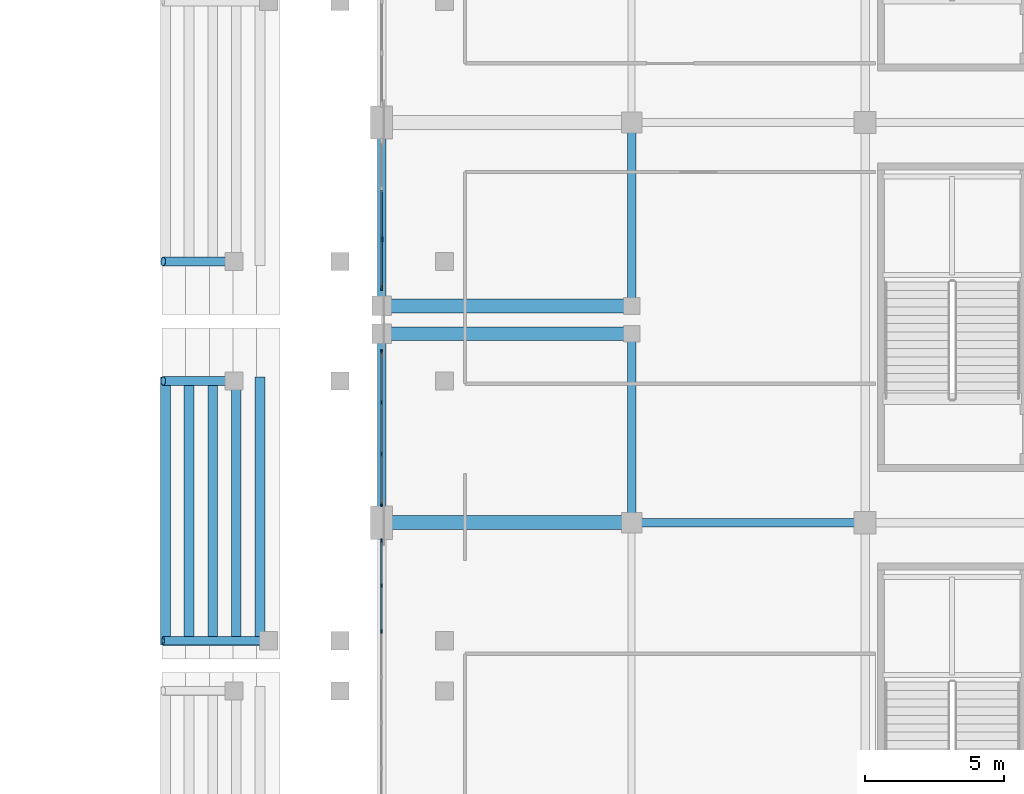
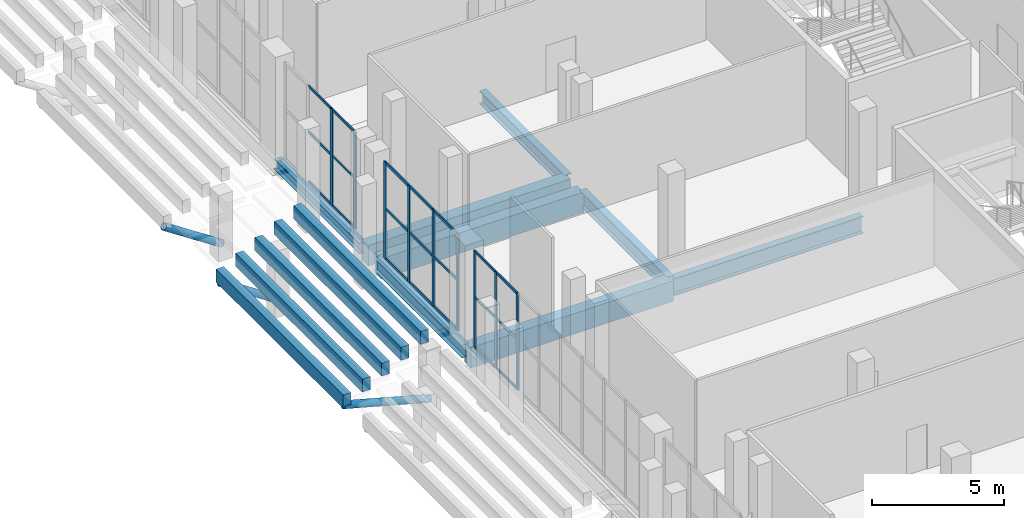
# One storey, part 52 of 142: 33 members, 13 beams, 3 elements without a shape of their own.
"""IFC4 building model written with IfcOpenShell, lengths in metres."""

from ifc_helpers import new_model, si_unit, direction, frame, origin, origin_2d, place, context, subcontext, project, spatial, rectangle, hollow_circle, i_section, extrude, material, material_profile, profile_set, type_object, element, aggregate, save


model = new_model("IFC4")

# Units and contexts
model_context = context("Model", 3, precision=1e-05, world=origin(), true_north=direction((0.0, 1.0)))
body_context = subcontext(model_context, "Body", "Model", "MODEL_VIEW")
ifc_project = project(units=[si_unit("LENGTHUNIT", "METRE"), si_unit("AREAUNIT", "SQUARE_METRE"), si_unit("VOLUMEUNIT", "CUBIC_METRE"), si_unit("PLANEANGLEUNIT", "RADIAN"), si_unit("MASSUNIT", "GRAM", prefix="KILO")], contexts=[model_context])

# Site, building, storey
site_placement = place(None, origin())
site = spatial("IfcSite", under=ifc_project, at=site_placement, CompositionType="ELEMENT")
building_placement = place(site_placement, origin())
building = spatial("IfcBuilding", under=site, at=building_placement, Name="Koshinbarg Plaza Stadium", CompositionType="ELEMENT")
storey_placement = place(building_placement, frame((0.0, 0.0, 10.199951171875)))
storey = spatial("IfcBuildingStorey", under=building, at=storey_placement, Name="L02", CompositionType="ELEMENT", Elevation=10.199951171875)

# Beams
ifc_material_1 = material(Name="Concrete C40/50", Category="concrete")
ifc_material_profile_1 = material_profile(ifc_material_1, rectangle(XDim=0.35009765625, YDim=0.60009765625, at=origin_2d()), Name="RC 350x600")
ifc_profile_set_1 = profile_set([ifc_material_profile_1], Name="Concrete C40/50")
beam_type_1 = type_object("IfcBeamType", Name="BM-RCG-01", PredefinedType="SPANDREL", material=ifc_profile_set_1)
for number, where, z_axis, x_axis, name in (
    (1, (172.6201171875, 64.300048828125, 2.52001953125), (0.0, 1.0, 0.0), (-1.0, 0.0, 0.0), "Upper tier seat bearer UT-E04-R01"),
    (2, (173.469970703125, 64.300048828125, 2.9599609375), (0.0, 1.0, 0.0), (-1.0, 0.0, 0.0), "Upper tier seat bearer UT-E04-R02"),
    (3, (174.320068359375, 64.300048828125, 3.400146484375), (0.0, 1.0, 0.0), (-1.0, 0.0, 0.0), "Upper tier seat bearer UT-E04-R03"),
    (4, (175.169921875, 64.300048828125, 3.840087890625), (0.0, 1.0, 0.0), (-1.0, 0.0, 0.0), "Upper tier seat bearer UT-E04-R04"),
    (5, (176.02001953125, 64.300048828125, 4.280029296875), (0.0, 1.0, 0.0), (-1.0, 0.0, 0.0), "Upper tier seat bearer UT-E04-R05"),
):
    element("IfcBeam", number, at=place(storey_placement, frame(where, z_axis=z_axis, x_axis=x_axis)), inside=storey, type_object=beam_type_1, Name=name, PredefinedType="SPANDREL", context=body_context, shape_type="SweptSolid", body=[
        extrude(rectangle(XDim=0.35009765625, YDim=0.60009765625, at=origin_2d()), origin(), (0.0, 0.0, 1.0), 9.64990234375),
    ])
ifc_material_profile_2 = material_profile(ifc_material_1, rectangle(XDim=0.5, YDim=0.949951171875, at=origin_2d()), Name="RC 500x950")
ifc_profile_set_2 = profile_set([ifc_material_profile_2], Name="Concrete C40/50")
beam_type_2 = type_object("IfcBeamType", Name="BM-RCG-06", PredefinedType="USERDEFINED", material=ifc_profile_set_2)
for number, where, z_axis, x_axis, name in (
    (6, (180.4599609375, 68.699951171875, -0.77490234375), (1.0, 0.0, 0.0), (0.0, 1.0, 0.0), "L02 X girder J/17-18"),
    (7, (180.4599609375, 75.5, -0.77490234375), (1.0, 0.0, 0.0), (0.0, 1.0, 0.0), "L02 X girder K/17-18"),
    (8, (180.4599609375, 76.5, -0.77490234375), (1.0, 0.0, 0.0), (0.0, 1.0, 0.0), "L02 X girder L/17-18"),
):
    element("IfcBeam", number, at=place(storey_placement, frame(where, z_axis=z_axis, x_axis=x_axis)), inside=storey, type_object=beam_type_2, Name=name, ObjectType="GIRDER", PredefinedType="USERDEFINED", context=body_context, shape_type="SweptSolid", body=[
        extrude(rectangle(XDim=0.5, YDim=0.949951171875, at=origin_2d()), origin(), (0.0, 0.0, 1.0), 8.880126953125),
    ])
ifc_material_2 = material(Name="Steel S355", Category="steel")
ifc_material_profile_3 = material_profile(ifc_material_2, i_section(OverallWidth=0.300048828125, OverallDepth=0.5, WebThickness=0.014404296875, FlangeThickness=0.028076171875, at=origin_2d()), Name="HEB 500")
ifc_profile_set_3 = profile_set([ifc_material_profile_3], Name="Steel S355")
beam_type_3 = type_object("IfcBeamType", Name="BM-SGIR-01", PredefinedType="USERDEFINED", material=ifc_profile_set_3)
beam_1_placement = place(storey_placement, frame((180.39990234375, 76.56005859375, -0.550048828125), z_axis=(0.0, 1.0, 0.0), x_axis=(-1.0, 0.0, 0.0)))
element("IfcBeam", 9, at=beam_1_placement, inside=storey, type_object=beam_type_3, Name="L02 Y girder 17/L-M", ObjectType="GIRDER", PredefinedType="USERDEFINED", context=body_context, shape_type="SweptSolid", body=[
    extrude(i_section(OverallWidth=0.300048828125, OverallDepth=0.5, WebThickness=0.014404296875, FlangeThickness=0.028076171875, at=origin_2d()), origin(), (0.0, 0.0, 1.0), 6.47998046875),
])
ifc_material_profile_4 = material_profile(ifc_material_2, i_section(OverallWidth=0.300048828125, OverallDepth=0.60009765625, WebThickness=0.015380859375, FlangeThickness=0.030029296875, at=origin_2d()), Name="HEB 600")
ifc_profile_set_4 = profile_set([ifc_material_profile_4], Name="Steel S355")
beam_type_4 = type_object("IfcBeamType", Name="BM-SGIR-02", PredefinedType="USERDEFINED", material=ifc_profile_set_4)
beam_2_placement = place(storey_placement, frame((180.39990234375, 68.760009765625, -0.599853515625), z_axis=(0.0, 1.0, 0.0), x_axis=(-1.0, 0.0, 0.0)))
element("IfcBeam", 10, at=beam_2_placement, inside=storey, type_object=beam_type_4, Name="L02 Y girder 17/J-K", ObjectType="GIRDER", PredefinedType="USERDEFINED", context=body_context, shape_type="SweptSolid", body=[
    extrude(i_section(OverallWidth=0.300048828125, OverallDepth=0.60009765625, WebThickness=0.015380859375, FlangeThickness=0.030029296875, at=origin_2d()), origin(), (0.0, 0.0, 1.0), 6.679931640625),
])
beam_3_placement = place(storey_placement, frame((189.39990234375, 76.56005859375, -0.599853515625), z_axis=(0.0, 1.0, 0.0), x_axis=(-1.0, 0.0, 0.0)))
element("IfcBeam", 11, at=beam_3_placement, inside=storey, type_object=beam_type_4, Name="L02 Y girder 18/L-M", ObjectType="GIRDER", PredefinedType="USERDEFINED", context=body_context, shape_type="SweptSolid", body=[
    extrude(i_section(OverallWidth=0.300048828125, OverallDepth=0.60009765625, WebThickness=0.015380859375, FlangeThickness=0.030029296875, at=origin_2d()), origin(), (0.0, 0.0, 1.0), 6.47998046875),
])
ifc_material_profile_5 = material_profile(ifc_material_2, i_section(OverallWidth=0.300048828125, OverallDepth=0.699951171875, WebThickness=0.01708984375, FlangeThickness=0.031982421875, at=origin_2d()), Name="HEB 700")
ifc_profile_set_5 = profile_set([ifc_material_profile_5], Name="Steel S355")
beam_type_5 = type_object("IfcBeamType", Name="BM-SGIR-03", PredefinedType="USERDEFINED", material=ifc_profile_set_5)
beam_4_placement = place(storey_placement, frame((189.39990234375, 68.760009765625, -0.64990234375), z_axis=(0.0, 1.0, 0.0), x_axis=(-1.0, 0.0, 0.0)))
element("IfcBeam", 12, at=beam_4_placement, inside=storey, type_object=beam_type_5, Name="L02 Y girder 18/J-K", ObjectType="GIRDER", PredefinedType="USERDEFINED", context=body_context, shape_type="SweptSolid", body=[
    extrude(i_section(OverallWidth=0.300048828125, OverallDepth=0.699951171875, WebThickness=0.01708984375, FlangeThickness=0.031982421875, at=origin_2d()), origin(), (0.0, 0.0, 1.0), 6.679931640625),
])
ifc_material_profile_6 = material_profile(ifc_material_2, i_section(OverallWidth=0.300048828125, OverallDepth=0.800048828125, WebThickness=0.017578125, FlangeThickness=0.032958984375, at=origin_2d()), Name="HEB 800")
ifc_profile_set_6 = profile_set([ifc_material_profile_6], Name="Steel S355")
beam_type_6 = type_object("IfcBeamType", Name="BM-SGIR-04", PredefinedType="USERDEFINED", material=ifc_profile_set_6)
beam_5_placement = place(storey_placement, frame((189.4599609375, 68.699951171875, -0.699951171875), z_axis=(1.0, 0.0, 0.0), x_axis=(0.0, 1.0, 0.0)))
element("IfcBeam", 13, at=beam_5_placement, inside=storey, type_object=beam_type_6, Name="L02 X girder J/18-19", ObjectType="GIRDER", PredefinedType="USERDEFINED", context=body_context, shape_type="SweptSolid", body=[
    extrude(i_section(OverallWidth=0.300048828125, OverallDepth=0.800048828125, WebThickness=0.017578125, FlangeThickness=0.032958984375, at=origin_2d()), origin(), (0.0, 0.0, 1.0), 8.280029296875),
])

# Curtain wall, members
ifc_material_3 = material(Name="Thermally broken anodised aluminium and low-E double glazing", Category="aluminium")
curtain_wall_type_1 = type_object("IfcCurtainWallType", Name="CW-SYS-05", PredefinedType="NOTDEFINED", material=ifc_material_3)
curtain_wall_1_placement = place(storey_placement, origin())
curtain_wall_1 = element("IfcCurtainWall", 14, at=curtain_wall_1_placement, inside=storey, type_object=curtain_wall_type_1, Name="L02 unitised curtain wall CW-L02-084", PredefinedType="NOTDEFINED")
ifc_material_4 = material(Name="Anodised aluminium mullion", Category="aluminium")
ifc_material_profile_7 = material_profile(ifc_material_4, rectangle(XDim=0.06005859375, YDim=0.139892578125, at=origin_2d()), Name="ALU 60x140")
ifc_profile_set_7 = profile_set([ifc_material_profile_7], Name="Anodised aluminium mullion")
member_type_1 = type_object("IfcMemberType", Name="CW-MUL-01", PredefinedType="MULLION", material=ifc_profile_set_7)
member_1_placement = place(storey_placement, frame((180.39990234375, 64.7900390625, 0.0), z_axis=(0.0, 0.0, 1.0), x_axis=(-1.0, 0.0, 0.0)))
member_1 = element("IfcMember", 15, at=member_1_placement, type_object=member_type_1, Name="CW05 mullion 7", PredefinedType="MULLION", context=body_context, shape_type="SweptSolid", body=[
    extrude(rectangle(XDim=0.06005859375, YDim=0.139892578125, at=origin_2d()), origin(), (0.0, 0.0, 1.0), 4.47998046875),
])
member_2_placement = place(storey_placement, frame((180.39990234375, 66.43505859375, 0.0), z_axis=(0.0, 0.0, 1.0), x_axis=(-1.0, 0.0, 0.0)))
member_2 = element("IfcMember", 16, at=member_2_placement, type_object=member_type_1, Name="CW05 mullion 8", PredefinedType="MULLION", context=body_context, shape_type="SweptSolid", body=[
    extrude(rectangle(XDim=0.06005859375, YDim=0.139892578125, at=origin_2d()), origin(), (0.0, 0.0, 1.0), 4.47998046875),
])
member_3_placement = place(storey_placement, frame((180.39990234375, 68.050048828125, 0.0), z_axis=(0.0, 0.0, 1.0), x_axis=(-1.0, 0.0, 0.0)))
member_3 = element("IfcMember", 17, at=member_3_placement, type_object=member_type_1, Name="CW05 mullion 9", PredefinedType="MULLION", context=body_context, shape_type="SweptSolid", body=[
    extrude(rectangle(XDim=0.06005859375, YDim=0.139892578125, at=origin_2d()), origin(), (0.0, 0.0, 1.0), 4.47998046875),
])

curtain_wall_type_2 = type_object("IfcCurtainWallType", Name="CW-SYS-06", PredefinedType="NOTDEFINED", material=ifc_material_3)
curtain_wall_2_placement = place(storey_placement, origin())
curtain_wall_2 = element("IfcCurtainWall", 18, at=curtain_wall_2_placement, inside=storey, type_object=curtain_wall_type_2, Name="L02 unitised curtain wall CW-L02-085", PredefinedType="NOTDEFINED")
ifc_material_profile_8 = material_profile(ifc_material_4, rectangle(XDim=0.06005859375, YDim=0.159912109375, at=origin_2d()), Name="ALU 60x160")
ifc_profile_set_8 = profile_set([ifc_material_profile_8], Name="Anodised aluminium mullion")
member_type_2 = type_object("IfcMemberType", Name="CW-MUL-02", PredefinedType="MULLION", material=ifc_profile_set_8)
member_4_placement = place(storey_placement, frame((180.39990234375, 69.35009765625, 0.0), z_axis=(0.0, 0.0, 1.0), x_axis=(-1.0, 0.0, 0.0)))
member_4 = element("IfcMember", 19, at=member_4_placement, type_object=member_type_2, Name="CW06 mullion 1", PredefinedType="MULLION", context=body_context, shape_type="SweptSolid", body=[
    extrude(rectangle(XDim=0.06005859375, YDim=0.159912109375, at=origin_2d()), origin(), (0.0, 0.0, 1.0), 4.47998046875),
])
member_5_placement = place(storey_placement, frame((180.39990234375, 71.17333984375, 0.0), z_axis=(0.0, 0.0, 1.0), x_axis=(-1.0, 0.0, 0.0)))
member_5 = element("IfcMember", 20, at=member_5_placement, type_object=member_type_2, Name="CW06 mullion 2", PredefinedType="MULLION", context=body_context, shape_type="SweptSolid", body=[
    extrude(rectangle(XDim=0.06005859375, YDim=0.159912109375, at=origin_2d()), origin(), (0.0, 0.0, 1.0), 4.47998046875),
])
member_6_placement = place(storey_placement, frame((180.39990234375, 73.026611328125, 0.0), z_axis=(0.0, 0.0, 1.0), x_axis=(-1.0, 0.0, 0.0)))
member_6 = element("IfcMember", 21, at=member_6_placement, type_object=member_type_2, Name="CW06 mullion 3", PredefinedType="MULLION", context=body_context, shape_type="SweptSolid", body=[
    extrude(rectangle(XDim=0.06005859375, YDim=0.159912109375, at=origin_2d()), origin(), (0.0, 0.0, 1.0), 4.47998046875),
])
member_7_placement = place(storey_placement, frame((180.39990234375, 74.85009765625, 0.0), z_axis=(0.0, 0.0, 1.0), x_axis=(-1.0, 0.0, 0.0)))
member_7 = element("IfcMember", 22, at=member_7_placement, type_object=member_type_2, Name="CW06 mullion 4", PredefinedType="MULLION", context=body_context, shape_type="SweptSolid", body=[
    extrude(rectangle(XDim=0.06005859375, YDim=0.159912109375, at=origin_2d()), origin(), (0.0, 0.0, 1.0), 4.47998046875),
])

curtain_wall_type_3 = type_object("IfcCurtainWallType", Name="CW-SYS-07", PredefinedType="NOTDEFINED", material=ifc_material_3)
curtain_wall_3_placement = place(storey_placement, origin())
curtain_wall_3 = element("IfcCurtainWall", 23, at=curtain_wall_3_placement, inside=storey, type_object=curtain_wall_type_3, Name="L02 unitised curtain wall CW-L02-086", PredefinedType="NOTDEFINED")
ifc_material_profile_9 = material_profile(ifc_material_4, rectangle(XDim=0.070068359375, YDim=0.179931640625, at=origin_2d()), Name="ALU 70x180")
ifc_profile_set_9 = profile_set([ifc_material_profile_9], Name="Anodised aluminium mullion")
member_type_3 = type_object("IfcMemberType", Name="CW-MUL-03", PredefinedType="MULLION", material=ifc_profile_set_9)
member_8_placement = place(storey_placement, frame((180.39990234375, 77.14990234375, 0.0), z_axis=(0.0, 0.0, 1.0), x_axis=(-1.0, 0.0, 0.0)))
member_8 = element("IfcMember", 24, at=member_8_placement, type_object=member_type_3, Name="CW07 mullion 1", PredefinedType="MULLION", context=body_context, shape_type="SweptSolid", body=[
    extrude(rectangle(XDim=0.070068359375, YDim=0.179931640625, at=origin_2d()), origin(), (0.0, 0.0, 1.0), 4.47998046875),
])
member_9_placement = place(storey_placement, frame((180.39990234375, 78.90673828125, 0.0), z_axis=(0.0, 0.0, 1.0), x_axis=(-1.0, 0.0, 0.0)))
member_9 = element("IfcMember", 25, at=member_9_placement, type_object=member_type_3, Name="CW07 mullion 2", PredefinedType="MULLION", context=body_context, shape_type="SweptSolid", body=[
    extrude(rectangle(XDim=0.070068359375, YDim=0.179931640625, at=origin_2d()), origin(), (0.0, 0.0, 1.0), 4.47998046875),
])

# Member
ifc_material_5 = material(Name="Anodised aluminium transom", Category="aluminium")
ifc_material_profile_10 = material_profile(ifc_material_5, rectangle(XDim=0.06005859375, YDim=0.110107421875, at=origin_2d()), Name="ALU 60x110")
ifc_profile_set_10 = profile_set([ifc_material_profile_10], Name="Anodised aluminium transom")
member_type_4 = type_object("IfcMemberType", Name="CW-TRN-01", PredefinedType="USERDEFINED", material=ifc_profile_set_10)
member_10_placement = place(storey_placement, frame((180.39990234375, 64.820068359375, 0.030029296875), z_axis=(0.0, 1.0, 0.0), x_axis=(-1.0, 0.0, 0.0)))
member_10 = element("IfcMember", 26, at=member_10_placement, type_object=member_type_4, Name="CW05 transom 7.1", ObjectType="TRANSOM", PredefinedType="USERDEFINED", context=body_context, shape_type="SweptSolid", body=[
    extrude(rectangle(XDim=0.06005859375, YDim=0.110107421875, at=origin_2d()), origin(), (0.0, 0.0, 1.0), 1.5849609375),
])

member_11_placement = place(storey_placement, frame((180.39990234375, 64.820068359375, 2.32958984375), z_axis=(0.0, 1.0, 0.0), x_axis=(-1.0, 0.0, 0.0)))
member_11 = element("IfcMember", 27, at=member_11_placement, type_object=member_type_4, Name="CW05 transom 7.2", ObjectType="TRANSOM", PredefinedType="USERDEFINED", context=body_context, shape_type="SweptSolid", body=[
    extrude(rectangle(XDim=0.06005859375, YDim=0.110107421875, at=origin_2d()), origin(), (0.0, 0.0, 1.0), 1.5849609375),
])

member_12_placement = place(storey_placement, frame((180.39990234375, 64.820068359375, 4.449951171875), z_axis=(0.0, 1.0, 0.0), x_axis=(-1.0, 0.0, 0.0)))
member_12 = element("IfcMember", 28, at=member_12_placement, type_object=member_type_4, Name="CW05 transom 7.3", ObjectType="TRANSOM", PredefinedType="USERDEFINED", context=body_context, shape_type="SweptSolid", body=[
    extrude(rectangle(XDim=0.06005859375, YDim=0.110107421875, at=origin_2d()), origin(), (0.0, 0.0, 1.0), 1.5849609375),
])

member_13_placement = place(storey_placement, frame((180.39990234375, 66.465087890625, 0.030029296875), z_axis=(0.0, 1.0, 0.0), x_axis=(-1.0, 0.0, 0.0)))
member_13 = element("IfcMember", 29, at=member_13_placement, type_object=member_type_4, Name="CW05 transom 8.1", ObjectType="TRANSOM", PredefinedType="USERDEFINED", context=body_context, shape_type="SweptSolid", body=[
    extrude(rectangle(XDim=0.06005859375, YDim=0.110107421875, at=origin_2d()), origin(), (0.0, 0.0, 1.0), 1.554931640625),
])

member_14_placement = place(storey_placement, frame((180.39990234375, 66.465087890625, 2.32958984375), z_axis=(0.0, 1.0, 0.0), x_axis=(-1.0, 0.0, 0.0)))
member_14 = element("IfcMember", 30, at=member_14_placement, type_object=member_type_4, Name="CW05 transom 8.2", ObjectType="TRANSOM", PredefinedType="USERDEFINED", context=body_context, shape_type="SweptSolid", body=[
    extrude(rectangle(XDim=0.06005859375, YDim=0.110107421875, at=origin_2d()), origin(), (0.0, 0.0, 1.0), 1.554931640625),
])

member_15_placement = place(storey_placement, frame((180.39990234375, 66.465087890625, 4.449951171875), z_axis=(0.0, 1.0, 0.0), x_axis=(-1.0, 0.0, 0.0)))
member_15 = element("IfcMember", 31, at=member_15_placement, type_object=member_type_4, Name="CW05 transom 8.3", ObjectType="TRANSOM", PredefinedType="USERDEFINED", context=body_context, shape_type="SweptSolid", body=[
    extrude(rectangle(XDim=0.06005859375, YDim=0.110107421875, at=origin_2d()), origin(), (0.0, 0.0, 1.0), 1.554931640625),
])

aggregate(curtain_wall_1, [member_1, member_2, member_3, member_10, member_11, member_12, member_13, member_14, member_15])

member_16_placement = place(storey_placement, frame((180.39990234375, 77.179931640625, 0.030029296875), z_axis=(0.0, 1.0, 0.0), x_axis=(-1.0, 0.0, 0.0)))
member_16 = element("IfcMember", 32, at=member_16_placement, type_object=member_type_4, Name="CW07 transom 1.1", ObjectType="TRANSOM", PredefinedType="USERDEFINED", context=body_context, shape_type="SweptSolid", body=[
    extrude(rectangle(XDim=0.06005859375, YDim=0.110107421875, at=origin_2d()), origin(), (0.0, 0.0, 1.0), 1.69677734375),
])

member_17_placement = place(storey_placement, frame((180.39990234375, 77.179931640625, 2.32958984375), z_axis=(0.0, 1.0, 0.0), x_axis=(-1.0, 0.0, 0.0)))
member_17 = element("IfcMember", 33, at=member_17_placement, type_object=member_type_4, Name="CW07 transom 1.2", ObjectType="TRANSOM", PredefinedType="USERDEFINED", context=body_context, shape_type="SweptSolid", body=[
    extrude(rectangle(XDim=0.06005859375, YDim=0.110107421875, at=origin_2d()), origin(), (0.0, 0.0, 1.0), 1.69677734375),
])

member_18_placement = place(storey_placement, frame((180.39990234375, 77.179931640625, 4.449951171875), z_axis=(0.0, 1.0, 0.0), x_axis=(-1.0, 0.0, 0.0)))
member_18 = element("IfcMember", 34, at=member_18_placement, type_object=member_type_4, Name="CW07 transom 1.3", ObjectType="TRANSOM", PredefinedType="USERDEFINED", context=body_context, shape_type="SweptSolid", body=[
    extrude(rectangle(XDim=0.06005859375, YDim=0.110107421875, at=origin_2d()), origin(), (0.0, 0.0, 1.0), 1.69677734375),
])

member_19_placement = place(storey_placement, frame((180.39990234375, 78.936767578125, 0.030029296875), z_axis=(0.0, 1.0, 0.0), x_axis=(-1.0, 0.0, 0.0)))
member_19 = element("IfcMember", 35, at=member_19_placement, type_object=member_type_4, Name="CW07 transom 2.1", ObjectType="TRANSOM", PredefinedType="USERDEFINED", context=body_context, shape_type="SweptSolid", body=[
    extrude(rectangle(XDim=0.06005859375, YDim=0.110107421875, at=origin_2d()), origin(), (0.0, 0.0, 1.0), 1.7265625),
])

member_20_placement = place(storey_placement, frame((180.39990234375, 78.936767578125, 2.32958984375), z_axis=(0.0, 1.0, 0.0), x_axis=(-1.0, 0.0, 0.0)))
member_20 = element("IfcMember", 36, at=member_20_placement, type_object=member_type_4, Name="CW07 transom 2.2", ObjectType="TRANSOM", PredefinedType="USERDEFINED", context=body_context, shape_type="SweptSolid", body=[
    extrude(rectangle(XDim=0.06005859375, YDim=0.110107421875, at=origin_2d()), origin(), (0.0, 0.0, 1.0), 1.7265625),
])

member_21_placement = place(storey_placement, frame((180.39990234375, 78.936767578125, 4.449951171875), z_axis=(0.0, 1.0, 0.0), x_axis=(-1.0, 0.0, 0.0)))
member_21 = element("IfcMember", 37, at=member_21_placement, type_object=member_type_4, Name="CW07 transom 2.3", ObjectType="TRANSOM", PredefinedType="USERDEFINED", context=body_context, shape_type="SweptSolid", body=[
    extrude(rectangle(XDim=0.06005859375, YDim=0.110107421875, at=origin_2d()), origin(), (0.0, 0.0, 1.0), 1.7265625),
])

aggregate(curtain_wall_3, [member_8, member_9, member_16, member_17, member_18, member_19, member_20, member_21])

ifc_material_profile_11 = material_profile(ifc_material_5, rectangle(XDim=0.06005859375, YDim=0.1298828125, at=origin_2d()), Name="ALU 60x130")
ifc_profile_set_11 = profile_set([ifc_material_profile_11], Name="Anodised aluminium transom")
member_type_5 = type_object("IfcMemberType", Name="CW-TRN-02", PredefinedType="USERDEFINED", material=ifc_profile_set_11)
member_22_placement = place(storey_placement, frame((180.39990234375, 69.3798828125, 0.030029296875), z_axis=(0.0, 1.0, 0.0), x_axis=(-1.0, 0.0, 0.0)))
member_22 = element("IfcMember", 38, at=member_22_placement, type_object=member_type_5, Name="CW06 transom 1.1", ObjectType="TRANSOM", PredefinedType="USERDEFINED", context=body_context, shape_type="SweptSolid", body=[
    extrude(rectangle(XDim=0.06005859375, YDim=0.1298828125, at=origin_2d()), origin(), (0.0, 0.0, 1.0), 1.763427734375),
])

member_23_placement = place(storey_placement, frame((180.39990234375, 69.3798828125, 2.32958984375), z_axis=(0.0, 1.0, 0.0), x_axis=(-1.0, 0.0, 0.0)))
member_23 = element("IfcMember", 39, at=member_23_placement, type_object=member_type_5, Name="CW06 transom 1.2", ObjectType="TRANSOM", PredefinedType="USERDEFINED", context=body_context, shape_type="SweptSolid", body=[
    extrude(rectangle(XDim=0.06005859375, YDim=0.1298828125, at=origin_2d()), origin(), (0.0, 0.0, 1.0), 1.763427734375),
])

member_24_placement = place(storey_placement, frame((180.39990234375, 69.3798828125, 4.449951171875), z_axis=(0.0, 1.0, 0.0), x_axis=(-1.0, 0.0, 0.0)))
member_24 = element("IfcMember", 40, at=member_24_placement, type_object=member_type_5, Name="CW06 transom 1.3", ObjectType="TRANSOM", PredefinedType="USERDEFINED", context=body_context, shape_type="SweptSolid", body=[
    extrude(rectangle(XDim=0.06005859375, YDim=0.1298828125, at=origin_2d()), origin(), (0.0, 0.0, 1.0), 1.763427734375),
])

member_25_placement = place(storey_placement, frame((180.39990234375, 71.203369140625, 0.030029296875), z_axis=(0.0, 1.0, 0.0), x_axis=(-1.0, 0.0, 0.0)))
member_25 = element("IfcMember", 41, at=member_25_placement, type_object=member_type_5, Name="CW06 transom 2.1", ObjectType="TRANSOM", PredefinedType="USERDEFINED", context=body_context, shape_type="SweptSolid", body=[
    extrude(rectangle(XDim=0.06005859375, YDim=0.1298828125, at=origin_2d()), origin(), (0.0, 0.0, 1.0), 1.793212890625),
])

member_26_placement = place(storey_placement, frame((180.39990234375, 71.203369140625, 2.32958984375), z_axis=(0.0, 1.0, 0.0), x_axis=(-1.0, 0.0, 0.0)))
member_26 = element("IfcMember", 42, at=member_26_placement, type_object=member_type_5, Name="CW06 transom 2.2", ObjectType="TRANSOM", PredefinedType="USERDEFINED", context=body_context, shape_type="SweptSolid", body=[
    extrude(rectangle(XDim=0.06005859375, YDim=0.1298828125, at=origin_2d()), origin(), (0.0, 0.0, 1.0), 1.793212890625),
])

member_27_placement = place(storey_placement, frame((180.39990234375, 71.203369140625, 4.449951171875), z_axis=(0.0, 1.0, 0.0), x_axis=(-1.0, 0.0, 0.0)))
member_27 = element("IfcMember", 43, at=member_27_placement, type_object=member_type_5, Name="CW06 transom 2.3", ObjectType="TRANSOM", PredefinedType="USERDEFINED", context=body_context, shape_type="SweptSolid", body=[
    extrude(rectangle(XDim=0.06005859375, YDim=0.1298828125, at=origin_2d()), origin(), (0.0, 0.0, 1.0), 1.793212890625),
])

member_28_placement = place(storey_placement, frame((180.39990234375, 73.056640625, 0.030029296875), z_axis=(0.0, 1.0, 0.0), x_axis=(-1.0, 0.0, 0.0)))
member_28 = element("IfcMember", 44, at=member_28_placement, type_object=member_type_5, Name="CW06 transom 3.1", ObjectType="TRANSOM", PredefinedType="USERDEFINED", context=body_context, shape_type="SweptSolid", body=[
    extrude(rectangle(XDim=0.06005859375, YDim=0.1298828125, at=origin_2d()), origin(), (0.0, 0.0, 1.0), 1.763427734375),
])

member_29_placement = place(storey_placement, frame((180.39990234375, 73.056640625, 2.32958984375), z_axis=(0.0, 1.0, 0.0), x_axis=(-1.0, 0.0, 0.0)))
member_29 = element("IfcMember", 45, at=member_29_placement, type_object=member_type_5, Name="CW06 transom 3.2", ObjectType="TRANSOM", PredefinedType="USERDEFINED", context=body_context, shape_type="SweptSolid", body=[
    extrude(rectangle(XDim=0.06005859375, YDim=0.1298828125, at=origin_2d()), origin(), (0.0, 0.0, 1.0), 1.763427734375),
])

member_30_placement = place(storey_placement, frame((180.39990234375, 73.056640625, 4.449951171875), z_axis=(0.0, 1.0, 0.0), x_axis=(-1.0, 0.0, 0.0)))
member_30 = element("IfcMember", 46, at=member_30_placement, type_object=member_type_5, Name="CW06 transom 3.3", ObjectType="TRANSOM", PredefinedType="USERDEFINED", context=body_context, shape_type="SweptSolid", body=[
    extrude(rectangle(XDim=0.06005859375, YDim=0.1298828125, at=origin_2d()), origin(), (0.0, 0.0, 1.0), 1.763427734375),
])

aggregate(curtain_wall_2, [member_4, member_5, member_6, member_7, member_22, member_23, member_24, member_25, member_26, member_27, member_28, member_29, member_30])

# Members
ifc_material_profile_12 = material_profile(ifc_material_2, hollow_circle(Radius=0.161865234375, WallThickness=0.01416015625, at=origin_2d()), Name="CHS 323.9x14.2")
ifc_profile_set_12 = profile_set([ifc_material_profile_12], Name="Steel S355")
member_type_6 = type_object("IfcMemberType", Name="MB-BRACE-01", PredefinedType="BRACE", material=ifc_profile_set_12)
member_31_placement = place(storey_placement, frame((176.330078125, 64.449951171875, 1.2265625), z_axis=(-0.96496579401, 0.0, 0.262375716086), x_axis=(0.0, -1.0, 0.0)))
element("IfcMember", 47, at=member_31_placement, inside=storey, type_object=member_type_6, Name="Upper tier cantilever knee strut UT-E04-L", PredefinedType="BRACE", context=body_context, shape_type="SweptSolid", body=[
    extrude(hollow_circle(Radius=0.161865234375, WallThickness=0.01416015625, at=origin_2d()), origin(), (0.0, 0.0, 1.0), 3.927734375),
])
for number, where, z_axis, x_axis, name in (
    (48, (175.080078125, 73.800048828125, 0.582763671875), (-0.8349280335, 0.0, 0.550359136269), (0.0, -1.0, 0.0), "Upper tier cantilever knee strut UT-E04-R"),
    (49, (175.080078125, 78.10009765625, 0.582763671875), (-0.8349280335, 0.0, 0.550359136269), (0.0, -1.0, 0.0), "Upper tier cantilever knee strut UT-E05-L"),
):
    element("IfcMember", number, at=place(storey_placement, frame(where, z_axis=z_axis, x_axis=x_axis)), inside=storey, type_object=member_type_6, Name=name, PredefinedType="BRACE", context=body_context, shape_type="SweptSolid", body=[
        extrude(hollow_circle(Radius=0.161865234375, WallThickness=0.01416015625, at=origin_2d()), origin(), (0.0, 0.0, 1.0), 3.042236328125),
    ])

save(model, "model.ifc")
